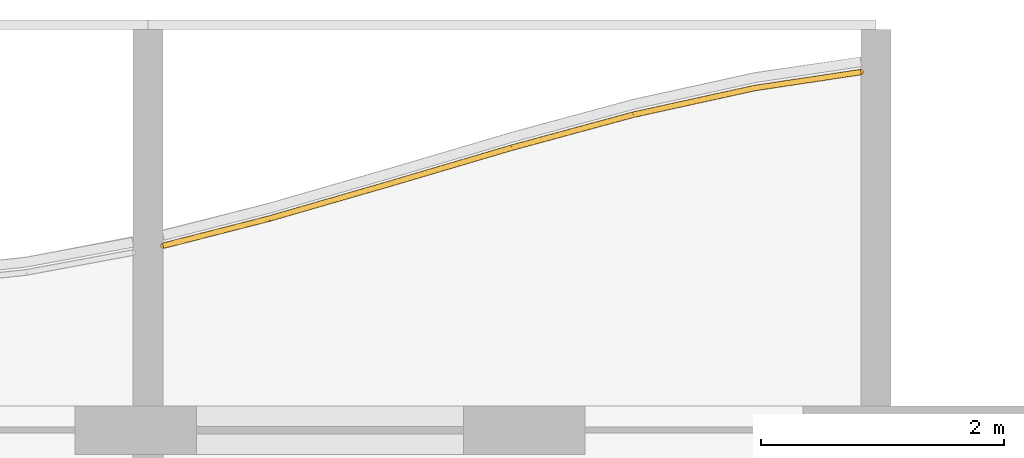
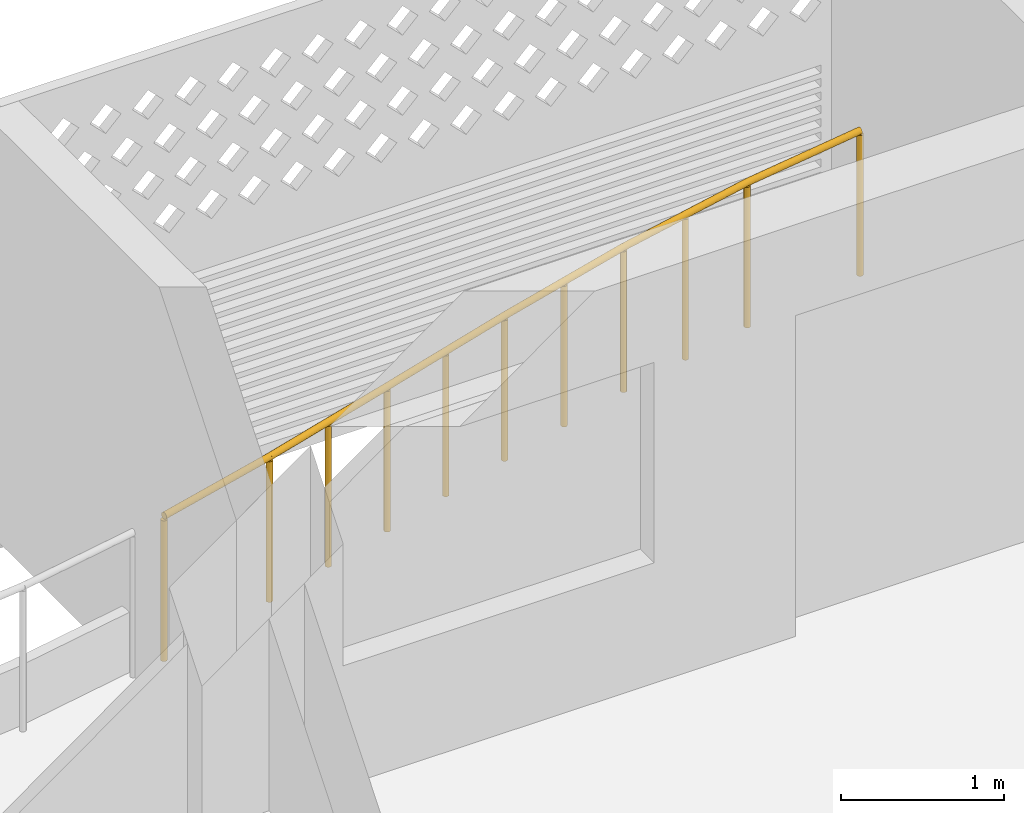
# One storey, part 25 of 26: 1 railing.
"""IFC4 building model written with IfcOpenShell, lengths in metres."""

from ifc_helpers import new_model, si_unit, direction, frame, origin, origin_2d, place, context, subcontext, project, spatial, circle, extrude, material, type_object, element, save


model = new_model("IFC4")

# Units and contexts
model_context = context("Model", 3, precision=1e-05, world=origin(), true_north=direction((0.0, 1.0)))
body_context = subcontext(model_context, "Body", "Model", "MODEL_VIEW")
ifc_project = project(units=[si_unit("LENGTHUNIT", "METRE"), si_unit("AREAUNIT", "SQUARE_METRE"), si_unit("VOLUMEUNIT", "CUBIC_METRE"), si_unit("PLANEANGLEUNIT", "RADIAN"), si_unit("MASSUNIT", "GRAM", prefix="KILO")], contexts=[model_context])

# Site, building, storey
site_placement = place(None, origin())
site = spatial("IfcSite", under=ifc_project, at=site_placement, CompositionType="ELEMENT")
building_placement = place(site_placement, origin())
building = spatial("IfcBuilding", under=site, at=building_placement, Name="Poui Terraces", CompositionType="ELEMENT")
storey_placement = place(building_placement, frame((0.0, 0.0, 224.699951171875)))
storey = spatial("IfcBuildingStorey", under=building, at=storey_placement, Name="L62", CompositionType="ELEMENT", Elevation=224.699951171875)

# Railing
ifc_material = material(Name="Painted steel fretwork", Category="steel")
railing_type = type_object("IfcRailingType", Name="BALCONY GUARD 1100", PredefinedType="GUARDRAIL", material=ifc_material)
railing_placement = place(storey_placement, frame((72.125, 42.7197265625, 0.0)))
element("IfcRailing", 1, at=railing_placement, inside=storey, type_object=railing_type, Name="BALCONY GUARD", PredefinedType="GUARDRAIL", context=body_context, shape_type="SweptSolid", body=[
    extrude(circle(Radius=0.02392578125, at=origin_2d()), frame((0.0, 0.0, 1.076171875), z_axis=(0.968727197282, 0.248128227429, 0.0), x_axis=(-0.248128227429, 0.968727197282, 0.0)), (0.0, 0.0, 1.0), 0.9033203125),
    extrude(circle(Radius=0.02392578125, at=origin_2d()), frame((0.875, 0.22412109375, 1.076171875), z_axis=(0.960669700127, 0.277693585193, 0.0), x_axis=(-0.277693585193, 0.960669700127, 0.0)), (0.0, 0.0, 1.0), 1.041015625),
    extrude(circle(Radius=0.02392578125, at=origin_2d()), frame((1.875, 0.51318359375, 1.076171875), z_axis=(0.959029275123, 0.283306988012, 0.0), x_axis=(-0.283306988012, 0.959029275123, 0.0)), (0.0, 0.0, 1.0), 1.042724609375),
    extrude(circle(Radius=0.02392578125, at=origin_2d()), frame((2.875, 0.80859375, 1.076171875), z_axis=(0.965067658743, 0.262000790167, 0.0), x_axis=(-0.262000790167, 0.965067658743, 0.0)), (0.0, 0.0, 1.0), 1.0361328125),
    extrude(circle(Radius=0.02392578125, at=origin_2d()), frame((3.875, 1.080078125, 1.076171875), z_axis=(0.97675043296, 0.214379550593, 0.0), x_axis=(-0.214379550593, 0.97675043296, 0.0)), (0.0, 0.0, 1.0), 1.023681640625),
    extrude(circle(Radius=0.02392578125, at=origin_2d()), frame((4.875, 1.299560546875, 1.076171875), z_axis=(0.988879613557, 0.148718223133, 0.0), x_axis=(-0.148718223133, 0.988879613557, 0.0)), (0.0, 0.0, 1.0), 0.884765625),
    extrude(circle(Radius=0.02099609375, at=origin_2d()), origin(), (0.0, 0.0, 1.0), 1.052001953125),
    extrude(circle(Radius=0.02099609375, at=origin_2d()), frame((0.875, 0.22412109375, 0.0)), (0.0, 0.0, 1.0), 1.052001953125),
    extrude(circle(Radius=0.02099609375, at=origin_2d()), frame((1.375, 0.36865234375, 0.0)), (0.0, 0.0, 1.0), 1.052001953125),
    extrude(circle(Radius=0.02099609375, at=origin_2d()), frame((1.875, 0.51318359375, 0.0)), (0.0, 0.0, 1.0), 1.052001953125),
    extrude(circle(Radius=0.02099609375, at=origin_2d()), frame((2.375, 0.660888671875, 0.0)), (0.0, 0.0, 1.0), 1.052001953125),
    extrude(circle(Radius=0.02099609375, at=origin_2d()), frame((2.875, 0.80859375, 0.0)), (0.0, 0.0, 1.0), 1.052001953125),
    extrude(circle(Radius=0.02099609375, at=origin_2d()), frame((3.375, 0.9443359375, 0.0)), (0.0, 0.0, 1.0), 1.052001953125),
    extrude(circle(Radius=0.02099609375, at=origin_2d()), frame((3.875, 1.080078125, 0.0)), (0.0, 0.0, 1.0), 1.052001953125),
    extrude(circle(Radius=0.02099609375, at=origin_2d()), frame((4.375, 1.18994140625, 0.0)), (0.0, 0.0, 1.0), 1.052001953125),
    extrude(circle(Radius=0.02099609375, at=origin_2d()), frame((4.875, 1.299560546875, 0.0)), (0.0, 0.0, 1.0), 1.052001953125),
    extrude(circle(Radius=0.02099609375, at=origin_2d()), frame((5.75, 1.43115234375, 0.0)), (0.0, 0.0, 1.0), 1.052001953125),
])

save(model, "model.ifc")
